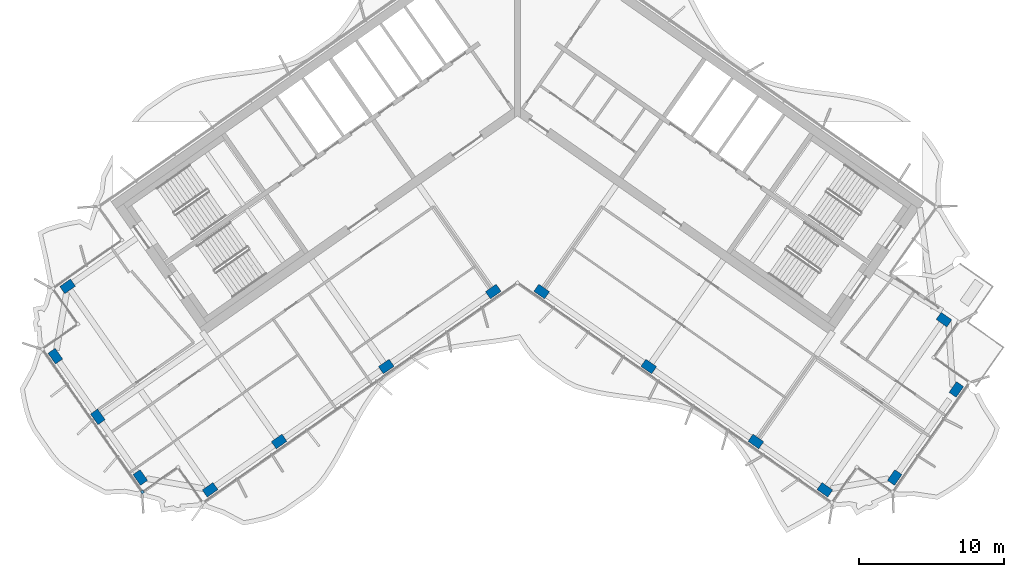
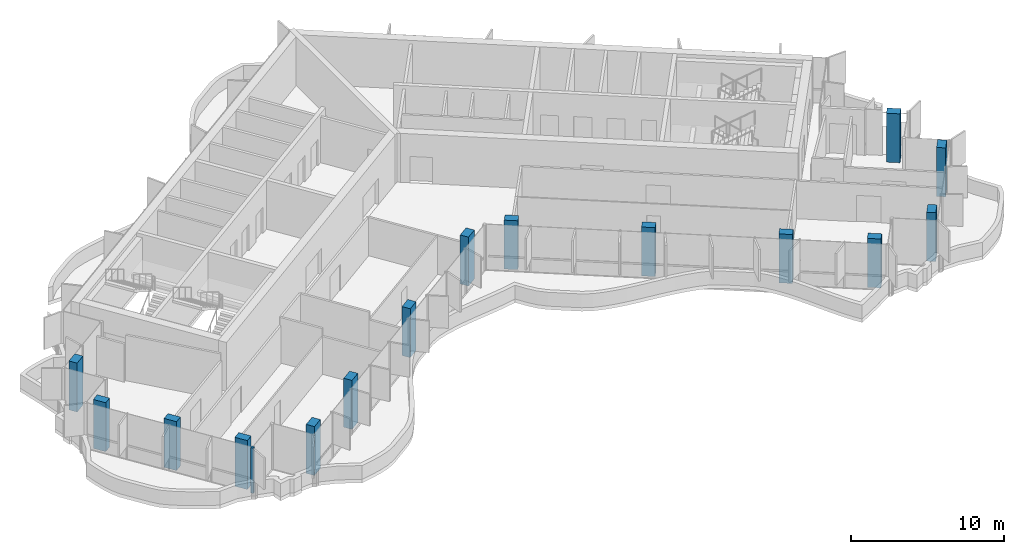
# One storey, part 1 of 20: 15 columns, 1 member, 1 element without a shape of its own.
"""IFC4 building model written with IfcOpenShell, lengths in metres."""

from ifc_helpers import new_model, si_unit, direction, frame, origin, origin_2d, place, context, subcontext, project, spatial, rectangle, extrude, material, material_profile, profile_set, type_object, element, aggregate, save


model = new_model("IFC4")

# Units and contexts
model_context = context("Model", 3, precision=1e-05, world=origin(), true_north=direction((0.0, 1.0)))
body_context = subcontext(model_context, "Body", "Model", "MODEL_VIEW")
ifc_project = project(units=[si_unit("LENGTHUNIT", "METRE"), si_unit("AREAUNIT", "SQUARE_METRE"), si_unit("VOLUMEUNIT", "CUBIC_METRE"), si_unit("PLANEANGLEUNIT", "RADIAN"), si_unit("MASSUNIT", "GRAM", prefix="KILO")], contexts=[model_context])

# Site, building, storey
site_placement = place(None, origin())
site = spatial("IfcSite", under=ifc_project, at=site_placement, CompositionType="ELEMENT")
building_placement = place(site_placement, origin())
building = spatial("IfcBuilding", under=site, at=building_placement, Name="Tel Ilan Convention Tower", CompositionType="ELEMENT")
storey_placement = place(building_placement, frame((0.0, 0.0, 248.800048828125)))
storey = spatial("IfcBuildingStorey", under=building, at=storey_placement, Name="L58", CompositionType="ELEMENT", Elevation=248.800048828125)

# Columns
ifc_material_1 = material(Name="Concrete C40/50", Category="concrete")
ifc_material_profile_1 = material_profile(ifc_material_1, rectangle(XDim=0.89990234375, YDim=0.60009765625, at=origin_2d()), Name="RC 600x900")
ifc_profile_set_1 = profile_set([ifc_material_profile_1], Name="Concrete C40/50")
column_type = type_object("IfcColumnType", Name="Column RC 600x900 C40/50", PredefinedType="COLUMN", material=ifc_profile_set_1)
for number, where, z_axis, x_axis, name in (
    (1, (-1.665283203125, -13.312744140625, 0.0), (0.0, 0.0, 1.0), (-0.819152044289, -0.573576436351, 0.0), "L58 column W-F1"),
    (2, (-9.03759765625, -18.474853515625, 0.0), (0.0, 0.0, 1.0), (-0.819152044289, -0.573576436351, 0.0), "L58 column W-F2"),
    (3, (-16.409912109375, -23.63720703125, 0.0), (0.0, 0.0, 1.0), (-0.819152044289, -0.573576436351, 0.0), "L58 column W-F3"),
    (4, (-21.1611328125, -26.9638671875, 0.0), (0.0, 0.0, 1.0), (-0.819152044289, -0.573576436351, 0.0), "L58 column W-FC"),
    (5, (-30.96923828125, -12.956298828125, 0.0), (0.0, 0.0, 1.0), (-0.819152044289, -0.573576436351, 0.0), "L58 column W-BC"),
    (6, (-25.966064453125, -26.11669921875, 0.0), (0.0, 0.0, 1.0), (-0.573576436351, 0.819152044289, 0.0), "L58 column W-E1"),
    (7, (-28.891357421875, -21.93896484375, 0.0), (0.0, 0.0, 1.0), (-0.573576436351, 0.819152044289, 0.0), "L58 column W-E2"),
    (8, (-31.81640625, -17.76123046875, 0.0), (0.0, 0.0, 1.0), (-0.573576436351, 0.819152044289, 0.0), "L58 column W-E3"),
    (9, (1.665283203125, -13.312744140625, 0.0), (0.0, 0.0, 1.0), (0.819152044289, -0.573576436351, 0.0), "L58 column E-F1"),
    (10, (9.03759765625, -18.474853515625, 0.0), (0.0, 0.0, 1.0), (0.819152044289, -0.573576436351, 0.0), "L58 column E-F2"),
    (11, (16.409912109375, -23.63720703125, 0.0), (0.0, 0.0, 1.0), (0.819152044289, -0.573576436351, 0.0), "L58 column E-F3"),
    (12, (21.1611328125, -26.9638671875, 0.0), (0.0, 0.0, 1.0), (0.819152044289, -0.573576436351, 0.0), "L58 column E-FC"),
    (13, (29.36328125, -15.25, 0.0), (0.0, 0.0, 1.0), (0.819152044289, -0.573576436351, 0.0), "L58 column E-BC"),
    (14, (25.966064453125, -26.11669921875, 0.0), (0.0, 0.0, 1.0), (0.573576436351, 0.819152044289, 0.0), "L58 column E-E1"),
    (15, (30.21044921875, -20.054931640625, 0.0), (0.0, 0.0, 1.0), (0.573576436351, 0.819152044289, 0.0), "L58 column E-E2"),
):
    element("IfcColumn", number, at=place(storey_placement, frame(where, z_axis=z_axis, x_axis=x_axis)), inside=storey, type_object=column_type, Name=name, PredefinedType="COLUMN", context=body_context, shape_type="SweptSolid", body=[
        extrude(rectangle(XDim=0.89990234375, YDim=0.60009765625, at=origin_2d()), origin(), (0.0, 0.0, 1.0), 3.89990234375),
    ])

# Curtain wall, member
ifc_material_2 = material(Name="Aluminium, bronze anodised", Category="aluminium")
curtain_wall_type = type_object("IfcCurtainWallType", Name="CW5 STICK CURTAIN WALL, UPPER OFFICE LOW-IRON TINTED GLASS", PredefinedType="NOTDEFINED", material=ifc_material_2)
curtain_wall_placement = place(storey_placement, origin())
curtain_wall = element("IfcCurtainWall", 16, at=curtain_wall_placement, inside=storey, type_object=curtain_wall_type, Name="Curtain wall CW5-45.03", PredefinedType="NOTDEFINED")
ifc_material_3 = material(Name="Aluminium, bronze anodised", Category="aluminium")
ifc_material_profile_2 = material_profile(ifc_material_3, rectangle(XDim=0.199951171875, YDim=0.199951171875, at=origin_2d()), Name="CW CORNER MULLION 200x200")
ifc_profile_set_2 = profile_set([ifc_material_profile_2], Name="Aluminium, bronze anodised")
member_type = type_object("IfcMemberType", Name="CW CORNER MULLION 200x200", PredefinedType="MULLION", material=ifc_profile_set_2)
member_placement = place(storey_placement, frame((-25.818359375, -27.112060546875, 0.0), z_axis=(0.0, 0.0, 1.0), x_axis=(0.573576436351, -0.819152044289, 0.0)))
member = element("IfcMember", 17, at=member_placement, type_object=member_type, Name="Corner mullion", PredefinedType="MULLION", context=body_context, shape_type="SweptSolid", body=[
    extrude(rectangle(XDim=0.199951171875, YDim=0.199951171875, at=origin_2d()), origin(), (0.0, 0.0, 1.0), 3.619873046875),
])
aggregate(curtain_wall, [member])

save(model, "model.ifc")
